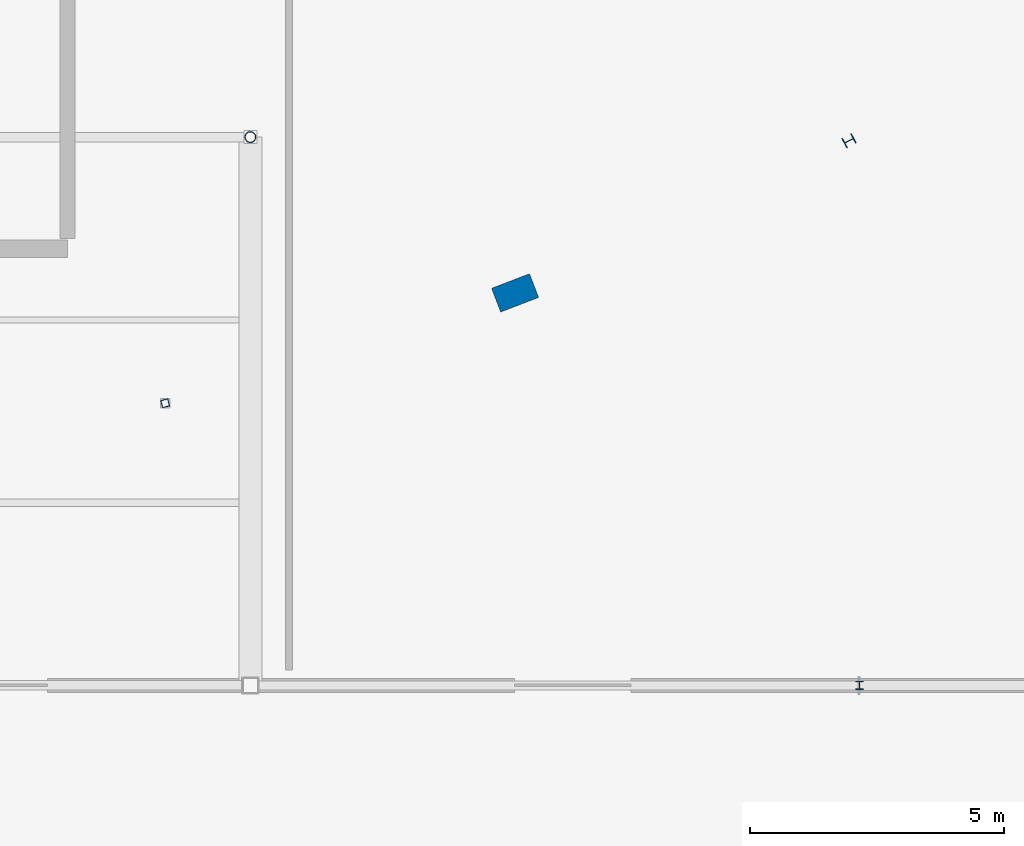
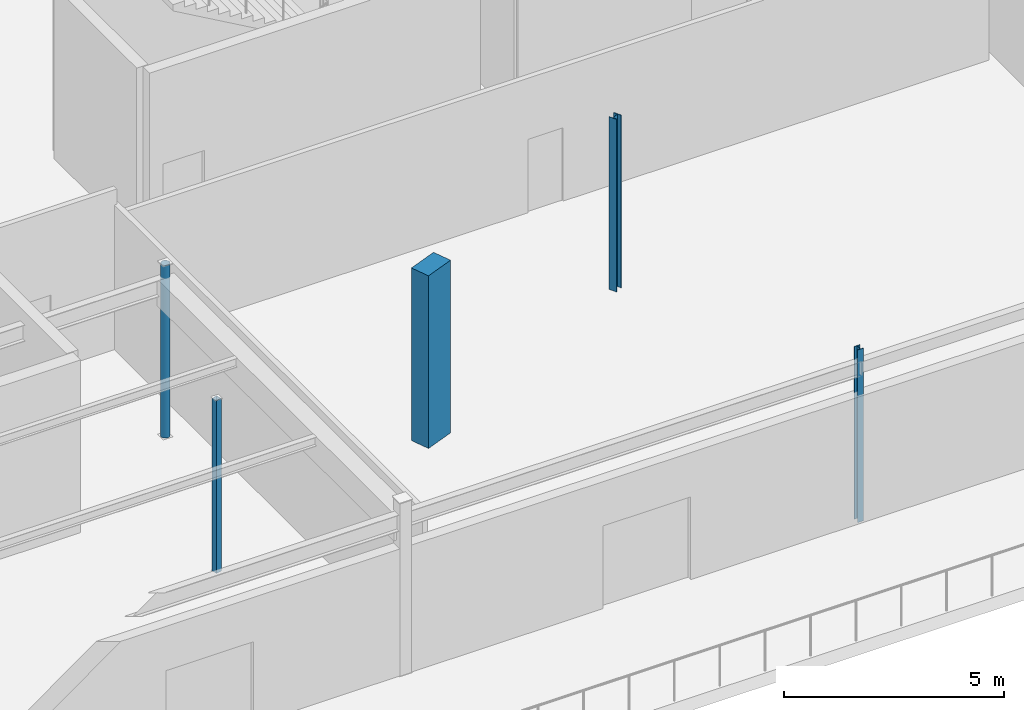
# One storey, part 14 of 199: 5 columns.
"""IFC4 building model written with IfcOpenShell, lengths in metres."""

import ifcopenshell
import ifcopenshell.guid

model = None  # the IFC model being written
_history = None  # IfcOwnerHistory: only IFC2X3 demands one
_inside = {}  # id of a spatial element -> (the spatial element, [elements in it])
_under = {}  # id of a project, library or spatial element -> (it, [spatial elements below it])
_declared = {}  # id of a project -> (the project, [libraries it declares])
_typed = {}  # id of a type object -> (the type object, [elements of that type])
_made_of = {}  # id of a material, layer set ... -> (it, [elements and type objects made of it])


def new_model(schema):
    """Start an empty IFC model of exactly this schema.

    Asked for "IFC4X3", IfcOpenShell would pick the latest addendum, in which some entities
    have other attributes; the version numbers below select the first issue.
    IFC2X3 requires an IfcOwnerHistory on every rooted entity: one is made here for all.
    """
    global model, _history
    if schema == "IFC4X3":
        model = ifcopenshell.file(schema_version=(4, 3, 0, 0))
    else:
        model = ifcopenshell.file(schema=schema)
    _inside.clear()
    _under.clear()
    _declared.clear()
    _typed.clear()
    _made_of.clear()
    _history = None
    if model.schema == "IFC2X3":
        org = make("IfcOrganization", Name="unknown")
        user = make(
            "IfcPersonAndOrganization",
            ThePerson=make("IfcPerson", FamilyName="unknown"),
            TheOrganization=org,
        )
        app = make(
            "IfcApplication",
            ApplicationDeveloper=org,
            Version="unknown",
            ApplicationFullName="unknown",
            ApplicationIdentifier="unknown",
        )
        _history = make(
            "IfcOwnerHistory",
            OwningUser=user,
            OwningApplication=app,
            ChangeAction="ADDED",
            CreationDate=0,
        )
    return model


def make(cls, **values):
    """One entity of the class cls with the attributes given. An attribute that is None is left unset."""
    return model.create_entity(
        cls, **{name: value for name, value in values.items() if value is not None}
    )


def rooted(cls, **values):
    """An entity with a GlobalId (a new one), such as an element, a storey or a relation."""
    return make(cls, GlobalId=ifcopenshell.guid.new(), OwnerHistory=_history, **values)


def si_unit(unit_type, name, prefix=None):
    """IfcSIUnit, for example si_unit("LENGTHUNIT", "METRE", prefix="MILLI")."""
    return make("IfcSIUnit", UnitType=unit_type, Prefix=prefix, Name=name)


def assignment(units):
    """IfcUnitAssignment: the units of a project."""
    return None if units is None else make("IfcUnitAssignment", Units=units)


def point(xyz):
    """IfcCartesianPoint."""
    return None if xyz is None else make("IfcCartesianPoint", Coordinates=xyz)


def direction(xyz):
    """IfcDirection."""
    return None if xyz is None else make("IfcDirection", DirectionRatios=xyz)


def frame(location, z_axis=None, x_axis=None):
    """IfcAxis2Placement3D, a coordinate frame: its origin and axes. An axis left out is left unset."""
    return make(
        "IfcAxis2Placement3D",
        Location=point(location),
        Axis=direction(z_axis),
        RefDirection=direction(x_axis),
    )


def frame_2d(location, x_axis=None):
    """IfcAxis2Placement2D, a coordinate frame in the plane: its origin and x axis."""
    return make(
        "IfcAxis2Placement2D", Location=point(location), RefDirection=direction(x_axis)
    )


def origin():
    """The frame at (0, 0, 0) with its axes left unset."""
    return frame((0.0, 0.0, 0.0))


def origin_2d():
    """The frame at (0, 0) in the plane with its x axis left unset."""
    return frame_2d((0.0, 0.0))


def place(relative_to, where):
    """IfcLocalPlacement: puts the frame where relative to a parent placement (None: the world)."""
    return make(
        "IfcLocalPlacement", PlacementRelTo=relative_to, RelativePlacement=where
    )


def context(
    kind, dimensions, precision=None, world=None, true_north=None, identifier=None
):
    """IfcGeometricRepresentationContext, for example the 3D "Model" context."""
    return make(
        "IfcGeometricRepresentationContext",
        ContextIdentifier=identifier,
        ContextType=kind,
        CoordinateSpaceDimension=dimensions,
        Precision=precision,
        WorldCoordinateSystem=world,
        TrueNorth=true_north,
    )


def subcontext(parent, identifier, kind, view, scale=None):
    """IfcGeometricRepresentationSubContext, for example "Body" below "Model"."""
    return make(
        "IfcGeometricRepresentationSubContext",
        ContextIdentifier=identifier,
        ContextType=kind,
        ParentContext=parent,
        TargetScale=scale,
        TargetView=view,
    )


def project(units=None, contexts=None):
    """IfcProject with its units and contexts."""
    return rooted(
        "IfcProject",
        Name="project",
        RepresentationContexts=contexts,
        UnitsInContext=assignment(units),
    )


def spatial(cls, under=None, at=None, **own):
    """A site, building, storey or space (cls), placed at a placement, below another one or the project."""
    s = rooted(cls, ObjectPlacement=at, **own)
    if under is not None:
        _under.setdefault(under.id(), (under, []))[1].append(s)
    return s


def profile(cls, at=None, kind="AREA", **sizes):
    """A parametric profile (cls). Its sizes go by their IFC names, for example OverallWidth=200.0."""
    return make(cls, ProfileType=kind, Position=at, **sizes)


def rectangle(**sizes):
    """IfcRectangleProfileDef."""
    return profile("IfcRectangleProfileDef", **sizes)


def hollow_rectangle(**sizes):
    """IfcRectangleHollowProfileDef."""
    return profile("IfcRectangleHollowProfileDef", **sizes)


def hollow_circle(**sizes):
    """IfcCircleHollowProfileDef."""
    return profile("IfcCircleHollowProfileDef", **sizes)


def i_section(**sizes):
    """IfcIShapeProfileDef."""
    return profile("IfcIShapeProfileDef", **sizes)


def extrude(swept, where, along, depth):
    """IfcExtrudedAreaSolid: the profile swept, set in the frame where, extruded along a direction by depth."""
    return make(
        "IfcExtrudedAreaSolid",
        SweptArea=swept,
        Position=where,
        ExtrudedDirection=direction(along),
        Depth=depth,
    )


def shape(context_of_items, identifier, shape_type, items):
    """IfcShapeRepresentation: the items that make up one representation, for example the "Body"."""
    return make(
        "IfcShapeRepresentation",
        ContextOfItems=context_of_items,
        RepresentationIdentifier=identifier,
        RepresentationType=shape_type,
        Items=items,
    )


def material(Name=None, Category=None):
    """IfcMaterial."""
    return make("IfcMaterial", Name=Name, Category=Category)


def material_profile(
    of_material, cross_section, Name=None, Category=None, Priority=None
):
    """IfcMaterialProfile: a cross section and its material."""
    return make(
        "IfcMaterialProfile",
        Name=Name,
        Material=of_material,
        Profile=cross_section,
        Priority=Priority,
        Category=Category,
    )


def profile_set(profiles, Name=None, composite=None):
    """IfcMaterialProfileSet."""
    return make(
        "IfcMaterialProfileSet",
        Name=Name,
        MaterialProfiles=profiles,
        CompositeProfile=composite,
    )


def made_of(thing, what):
    """Note that an element or type object is made of a material, layer set ...; save() writes the relation."""
    if what is not None:
        _made_of.setdefault(what.id(), (what, []))[1].append(thing)
    return thing


def type_object(cls, material=None, **own):
    """A type object (cls), such as IfcWallType, which elements share."""
    return made_of(rooted(cls, **own), material)


def element(
    cls,
    number,
    at=None,
    inside=None,
    cuts=None,
    type_object=None,
    material=None,
    context=None,
    identifier="Body",
    shape_type=None,
    held_by="IfcProductDefinitionShape",
    body=None,
    shapes=None,
    **own,
):
    """One element of the class cls, such as IfcWall. Its Tag is "e" and its number.

    at: its placement. inside: the storey or other place that contains it. cuts: it is an
    opening in that element (IfcRelVoidsElement). A single representation is given by context,
    identifier, shape_type and body (its items); several are given by shapes. held_by: the class
    of the entity that holds the representations. save() writes the other relations.
    """
    e = rooted(cls, Tag="e%d" % number, ObjectPlacement=at, **own)
    if body is not None:
        shapes = [shape(context, identifier, shape_type, body)]
    if shapes is not None:
        e.Representation = make(held_by, Representations=shapes)
    if inside is not None:
        _inside.setdefault(inside.id(), (inside, []))[1].append(e)
    if cuts is not None:
        rooted(
            "IfcRelVoidsElement", RelatingBuildingElement=cuts, RelatedOpeningElement=e
        )
    if type_object is not None:
        _typed.setdefault(type_object.id(), (type_object, []))[1].append(e)
    return made_of(e, material)


def aggregate(whole, parts):
    """IfcRelAggregates: a whole, such as a stair, and the parts it consists of."""
    return rooted("IfcRelAggregates", RelatingObject=whole, RelatedObjects=parts)


def save(model, path):
    """Write the relations noted so far, then the file.

    IfcRelAggregates (storeys below a building ...), IfcRelContainedInSpatialStructure (elements
    in a storey), IfcRelDefinesByType, IfcRelAssociatesMaterial and IfcRelDeclares: one each for
    every whole, place, type object, material and project.
    """
    for whole, parts in _under.values():
        aggregate(whole, parts)
    for where, things in _inside.values():
        rooted(
            "IfcRelContainedInSpatialStructure",
            RelatedElements=things,
            RelatingStructure=where,
        )
    for kind, things in _typed.values():
        rooted("IfcRelDefinesByType", RelatedObjects=things, RelatingType=kind)
    for what, things in _made_of.values():
        rooted("IfcRelAssociatesMaterial", RelatedObjects=things, RelatingMaterial=what)
    for by, libraries in _declared.values():
        rooted("IfcRelDeclares", RelatingContext=by, RelatedDefinitions=libraries)
    model.write(path)


model = new_model("IFC4")

# Units and contexts
model_context = context("Model", 3, precision=1e-05, world=origin(), true_north=direction((0.0, 1.0)))
body_context = subcontext(model_context, "Body", "Model", "MODEL_VIEW")
ifc_project = project(units=[si_unit("LENGTHUNIT", "METRE"), si_unit("AREAUNIT", "SQUARE_METRE"), si_unit("VOLUMEUNIT", "CUBIC_METRE"), si_unit("PLANEANGLEUNIT", "RADIAN"), si_unit("MASSUNIT", "GRAM", prefix="KILO")], contexts=[model_context])

# Site, building, storey
site_placement = place(None, origin())
site = spatial("IfcSite", under=ifc_project, at=site_placement, CompositionType="ELEMENT")
building_placement = place(site_placement, origin())
building = spatial("IfcBuilding", under=site, at=building_placement, Name="Tarnwether General Hospital", CompositionType="ELEMENT")
storey_placement = place(building_placement, origin())
storey = spatial("IfcBuildingStorey", under=building, at=storey_placement, Name="L00", CompositionType="ELEMENT", Elevation=0.0)

# Columns
ifc_material_1 = material(Name="Steel Grade C350L0 (350 MPa)", Category="steel")
ifc_material_profile_1 = material_profile(ifc_material_1, hollow_circle(Radius=0.109619140625, WallThickness=0.010009765625, at=origin_2d()), Name="CHS219.1x10.0")
ifc_profile_set_1 = profile_set([ifc_material_profile_1], Name="Steel Grade C350L0 (350 MPa)")
column_type_1 = type_object("IfcColumnType", Name="COL-13", PredefinedType="COLUMN", material=ifc_profile_set_1)
column_1_placement = place(storey_placement, frame((108.0, 10.800048828125, 0.0), z_axis=(0.0, 0.0, 1.0), x_axis=(0.0, 1.0, 0.0)))
element("IfcColumn", 1, at=column_1_placement, inside=storey, type_object=column_type_1, Name="Column COLG-L00-10800_1080", PredefinedType="COLUMN", context=body_context, shape_type="SweptSolid", body=[
    extrude(hollow_circle(Radius=0.109619140625, WallThickness=0.010009765625, at=origin_2d()), origin(), (0.0, 0.0, 1.0), 4.800048828125),
])
ifc_material_2 = material(Name="Concrete 50 MPa", Category="concrete")
ifc_material_profile_2 = material_profile(ifc_material_2, rectangle(XDim=0.5, YDim=0.800048828125, at=origin_2d()), Name="RC-PIL-500x800")
ifc_profile_set_2 = profile_set([ifc_material_profile_2], Name="Concrete 50 MPa")
column_type_2 = type_object("IfcColumnType", Name="COL-23", PredefinedType="PILASTER", material=ifc_profile_set_2)
column_2_placement = place(storey_placement, frame((113.215087890625, 7.73193359375, 0.0), z_axis=(0.0, 0.0, 1.0), x_axis=(-0.358367949545, 0.933580426497, 0.0)))
element("IfcColumn", 2, at=column_2_placement, inside=storey, type_object=column_type_2, Name="Column COLG-L00-11322_773", PredefinedType="PILASTER", context=body_context, shape_type="SweptSolid", body=[
    extrude(rectangle(XDim=0.5, YDim=0.800048828125, at=origin_2d()), origin(), (0.0, 0.0, 1.0), 4.800048828125),
])
ifc_material_3 = material(Name="Steel Grade 350 (350 MPa)", Category="steel")
ifc_material_profile_3 = material_profile(ifc_material_3, i_section(OverallWidth=0.205078125, OverallDepth=0.2099609375, WebThickness=0.00927734375, FlangeThickness=0.01416015625, at=origin_2d()), Name="200UC59.5")
ifc_profile_set_3 = profile_set([ifc_material_profile_3], Name="Steel Grade 350 (350 MPa)")
column_type_3 = type_object("IfcColumnType", Name="COL-25", PredefinedType="COLUMN", material=ifc_profile_set_3)
column_3_placement = place(storey_placement, frame((119.79296875, 10.72998046875, 0.0), z_axis=(0.0, 0.0, 1.0), x_axis=(-0.469471562786, 0.882947592859, 0.0)))
element("IfcColumn", 3, at=column_3_placement, inside=storey, type_object=column_type_3, Name="Column COLG-L00-11979_1073", PredefinedType="COLUMN", context=body_context, shape_type="SweptSolid", body=[
    extrude(i_section(OverallWidth=0.205078125, OverallDepth=0.2099609375, WebThickness=0.00927734375, FlangeThickness=0.01416015625, at=origin_2d()), origin(), (0.0, 0.0, 1.0), 4.800048828125),
])
ifc_material_4 = material(Name="Steel Grade 350 (350 MPa)", Category="steel")
ifc_material_profile_4 = material_profile(ifc_material_4, i_section(OverallWidth=0.154052734375, OverallDepth=0.162109375, WebThickness=0.008056640625, FlangeThickness=0.011474609375, at=origin_2d()), Name="150UC37.2")
ifc_profile_set_4 = profile_set([ifc_material_profile_4], Name="Steel Grade 350 (350 MPa)")
column_type_4 = type_object("IfcColumnType", Name="COL-28", PredefinedType="COLUMN", material=ifc_profile_set_4)
column_4_placement = place(storey_placement, frame((120.0, 0.0, 0.0), z_axis=(0.0, 0.0, 1.0), x_axis=(1.0, 0.0, 0.0)))
element("IfcColumn", 4, at=column_4_placement, inside=storey, type_object=column_type_4, Name="Column COLG-L00-12000_0", PredefinedType="COLUMN", context=body_context, shape_type="SweptSolid", body=[
    extrude(i_section(OverallWidth=0.154052734375, OverallDepth=0.162109375, WebThickness=0.008056640625, FlangeThickness=0.011474609375, at=origin_2d()), origin(), (0.0, 0.0, 1.0), 4.800048828125),
])
ifc_material_5 = material(Name="Steel Grade C350L0 (350 MPa)", Category="steel")
ifc_material_profile_5 = material_profile(ifc_material_5, hollow_rectangle(XDim=0.14990234375, YDim=0.14990234375, WallThickness=0.008056640625, at=origin_2d()), Name="SHS150x150x8")
ifc_profile_set_5 = profile_set([ifc_material_profile_5], Name="Steel Grade C350L0 (350 MPa)")
column_type_5 = type_object("IfcColumnType", Name="COL-33", PredefinedType="COLUMN", material=ifc_profile_set_5)
column_5_placement = place(storey_placement, frame((106.322021484375, 5.55810546875, 0.0), z_axis=(0.0, 0.0, 1.0), x_axis=(-0.2419218956, 0.970295726276, 0.0)))
element("IfcColumn", 5, at=column_5_placement, inside=storey, type_object=column_type_5, Name="Column COLG-L00-10632_556", PredefinedType="COLUMN", context=body_context, shape_type="SweptSolid", body=[
    extrude(hollow_rectangle(XDim=0.14990234375, YDim=0.14990234375, WallThickness=0.008056640625, at=origin_2d()), origin(), (0.0, 0.0, 1.0), 4.800048828125),
])

save(model, "model.ifc")
